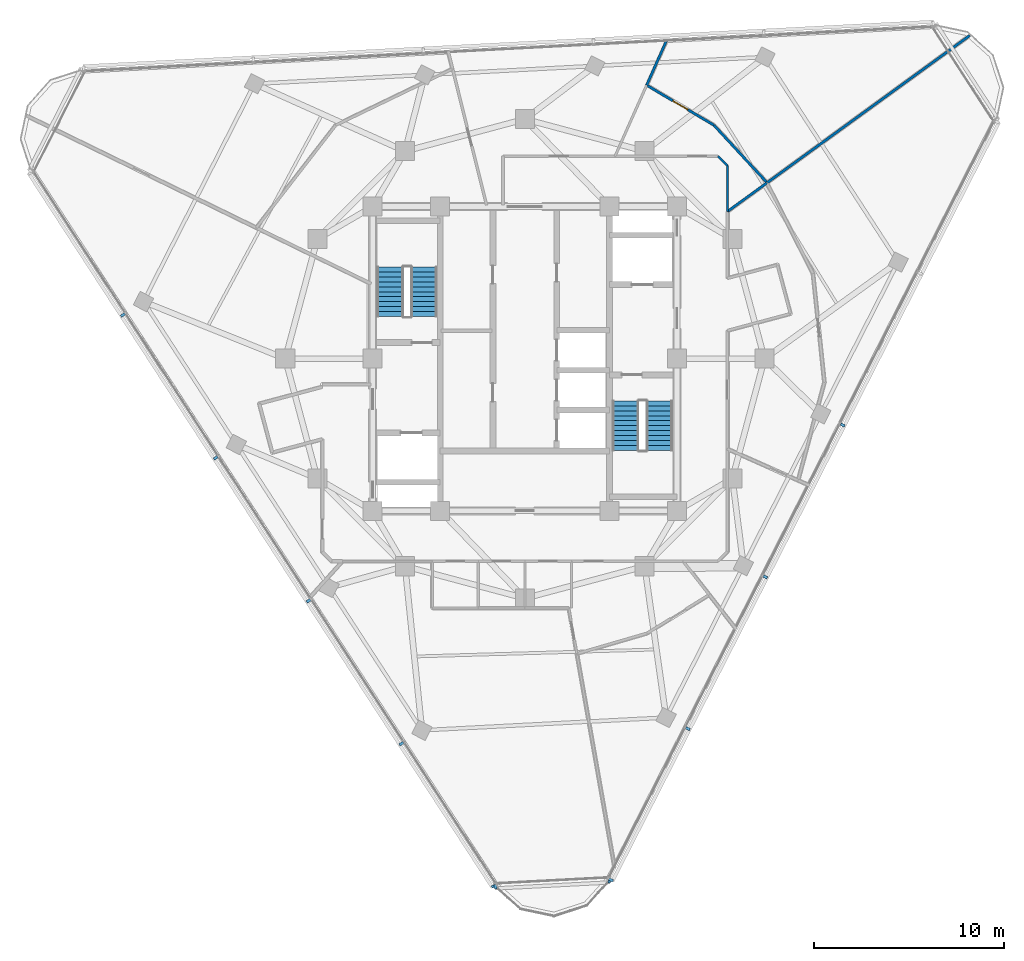
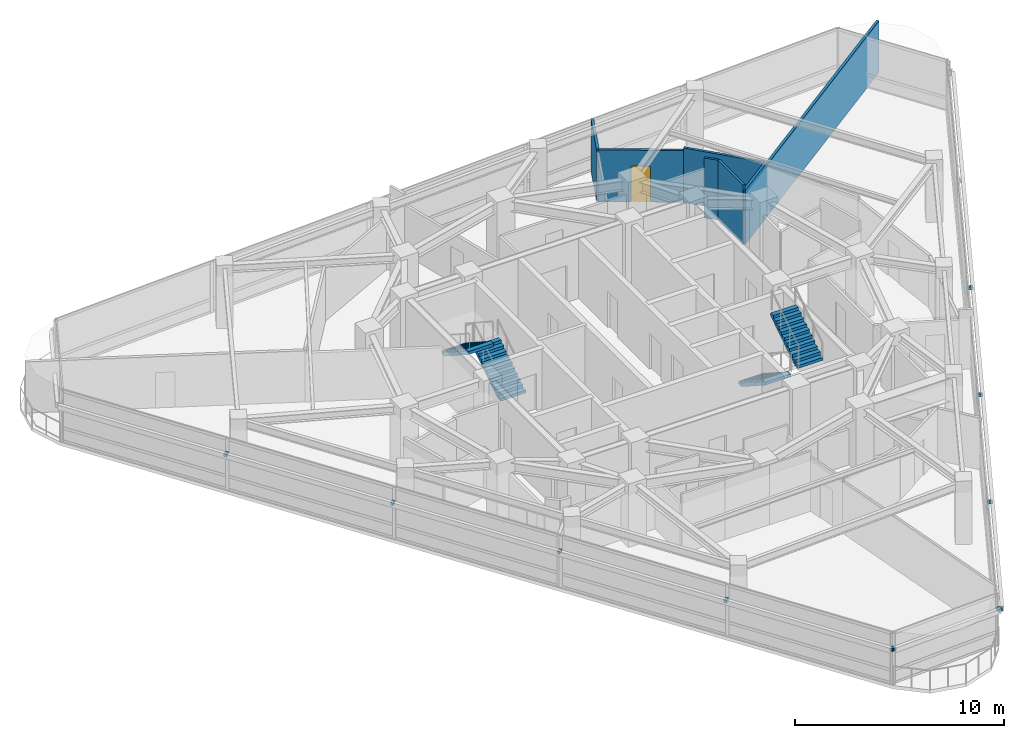
# One storey, part 10 of 15: 11 discrete accessories, 7 walls, 4 stair flights, 1 door, 1 opening, 2 elements without a shape of their own.
"""IFC4 building model written with IfcOpenShell, lengths in metres."""

from ifc_helpers import new_model, si_unit, direction, frame, frame_2d, origin, origin_2d, place, context, subcontext, project, spatial, polyline, rectangle, outline, extrude, material, layer, layer_set, type_object, element, fill, aggregate, save


model = new_model("IFC4")

# Units and contexts
model_context = context("Model", 3, precision=1e-05, world=origin(), true_north=direction((0.0, 1.0)))
body_context = subcontext(model_context, "Body", "Model", "MODEL_VIEW")
ifc_project = project(units=[si_unit("LENGTHUNIT", "METRE"), si_unit("AREAUNIT", "SQUARE_METRE"), si_unit("VOLUMEUNIT", "CUBIC_METRE"), si_unit("PLANEANGLEUNIT", "RADIAN"), si_unit("MASSUNIT", "GRAM", prefix="KILO")], contexts=[model_context])

# Site, building, storey
site_placement = place(None, origin())
site = spatial("IfcSite", under=ifc_project, at=site_placement, CompositionType="ELEMENT")
building_placement = place(site_placement, origin())
building = spatial("IfcBuilding", under=site, at=building_placement, Name="Terralouvre Media Tower", CompositionType="ELEMENT")
storey_placement = place(building_placement, frame((0.0, 0.0, 248.5)))
storey = spatial("IfcBuildingStorey", under=building, at=storey_placement, Name="L64", CompositionType="ELEMENT", Elevation=248.5)

# Walls
ifc_material_1 = material(Name="Fire-rated gypsum board drywall partition")
ifc_layer_1 = layer(ifc_material_1, 0.135009765625, Name="Newsroom Acoustic Partition PT-135")
ifc_layer_set_1 = layer_set([ifc_layer_1], Name="Fire-rated gypsum board drywall partition")
wall_type_1 = type_object("IfcWallType", Name="Newsroom Acoustic Partition PT-135", PredefinedType="PARTITIONING", material=ifc_layer_set_1)
wall_1_placement = place(storey_placement, frame((12.72509765625, 9.2451171875, 0.0), z_axis=(0.0, 0.0, 1.0), x_axis=(-0.809135191367, -0.587622533683, 0.0)))
element("IfcWall", 1, at=wall_1_placement, inside=storey, type_object=wall_type_1, Name="L64 Interior Partition 033", PredefinedType="PARTITIONING", context=body_context, shape_type="SweptSolid", body=[
    extrude(rectangle(XDim=2.564697265625, YDim=0.135009765625, at=frame_2d((1.2822265625, 0.0))), origin(), (0.0, 0.0, 1.0), 3.18505859375),
])
wall_2_placement = place(storey_placement, frame((23.393798828125, 16.996826171875, 0.0), z_axis=(0.0, 0.0, 1.0), x_axis=(-0.80901413128, -0.587789192985, 0.0)))
element("IfcWall", 2, at=wall_2_placement, inside=storey, type_object=wall_type_1, Name="L64 Interior Partition 048", PredefinedType="PARTITIONING", context=body_context, shape_type="SweptSolid", body=[
    extrude(rectangle(XDim=13.17138671875, YDim=0.135009765625, at=frame_2d((6.585693359375, 0.0))), origin(), (0.0, 0.0, 1.0), 3.034912109375),
])

# Wall, opening, door
wall_3_placement = place(storey_placement, frame((6.404052734375, 14.384033203125, 0.0), z_axis=(0.0, 0.0, 1.0), x_axis=(0.859464079119, -0.511196143085, 0.0)))
wall_3 = element("IfcWall", 3, at=wall_3_placement, inside=storey, type_object=wall_type_1, Name="L64 Interior Partition 049", PredefinedType="PARTITIONING", context=body_context, shape_type="SweptSolid", body=[
    extrude(rectangle(XDim=4.11767578125, YDim=0.135009765625, at=frame_2d((2.058837890625, 0.0))), origin(), (0.0, 0.0, 1.0), 3.034912109375),
])
opening_placement = place(wall_3_placement, frame((1.598876953125, 0.0, 0.0)))
opening = element("IfcOpeningElement", 4, at=opening_placement, cuts=wall_3, Name="Opening ID-03-92X210", PredefinedType="OPENING", context=body_context, shape_type="SweptSolid", body=[
    extrude(rectangle(XDim=0.919921875, YDim=2.10009765625, at=frame_2d((0.4599609375, 1.050048828125))), frame((0.0, 0.077392578125, 0.0), z_axis=(0.0, -1.0, 0.0), x_axis=(1.0, 0.0, 0.0)), (0.0, 0.0, 1.0), 0.155029296875),
])
ifc_material_2 = material(Name="Engineered hardwood acoustic timber leaf", Category="wood")
door_type = type_object("IfcDoorType", Name="Accessible Restroom and Suite Door ID-03 (920x2100)", OperationType="NOTDEFINED", PredefinedType="DOOR", material=ifc_material_2)
door_placement = place(opening_placement, origin())
door = element("IfcDoor", 5, at=door_placement, inside=storey, type_object=door_type, Name="L64 Publishing Production Workspace 8 Door", OperationType="SINGLE_SWING_RIGHT", OverallHeight=2.10009765625, OverallWidth=0.919921875, PredefinedType="DOOR", context=body_context, shape_type="SweptSolid", body=[
    extrude(rectangle(XDim=0.919921875, YDim=2.10009765625, at=frame_2d((0.4599609375, 1.050048828125))), frame((0.0, 0.02490234375, 0.0), z_axis=(0.0, -1.0, 0.0), x_axis=(1.0, 0.0, 0.0)), (0.0, 0.0, 1.0), 0.050048828125),
])
fill(opening, door)

# Walls
wall_4_placement = place(storey_placement, frame((9.943115234375, 12.279052734375, 0.0), z_axis=(0.0, 0.0, 1.0), x_axis=(0.678829604912, -0.734295831049, 0.0)))
element("IfcWall", 6, at=wall_4_placement, inside=storey, type_object=wall_type_1, Name="L64 Interior Partition 050", PredefinedType="PARTITIONING", context=body_context, shape_type="SweptSolid", body=[
    extrude(rectangle(XDim=4.058349609375, YDim=0.135009765625, at=frame_2d((2.029296875, 0.0))), origin(), (0.0, 0.0, 1.0), 3.18505859375),
])
wall_5_placement = place(storey_placement, frame((7.46533203125, 16.766357421875, 0.0), z_axis=(0.0, 0.0, 1.0), x_axis=(-0.406928703069, -0.913459922831, 0.0)))
element("IfcWall", 7, at=wall_5_placement, inside=storey, type_object=wall_type_1, Name="L64 Interior Partition 051", PredefinedType="PARTITIONING", context=body_context, shape_type="SweptSolid", body=[
    extrude(rectangle(XDim=2.60791015625, YDim=0.135009765625, at=frame_2d((1.303955078125, 0.0))), origin(), (0.0, 0.0, 1.0), 3.034912109375),
])
ifc_material_3 = material(Name="Fire-rated gypsum board drywall partition")
ifc_layer_2 = layer(ifc_material_3, 0.114990234375, Name="Restroom and Pantry Partition PT-115")
ifc_layer_set_2 = layer_set([ifc_layer_2], Name="Fire-rated gypsum board drywall partition")
wall_type_2 = type_object("IfcWallType", Name="Restroom and Pantry Partition PT-115", PredefinedType="PARTITIONING", material=ifc_layer_set_2)
wall_6_placement = place(storey_placement, frame((10.64990234375, 7.738037109375, 0.0), z_axis=(0.0, 0.0, 1.0), x_axis=(0.0, 1.0, 0.0)))
element("IfcWall", 8, at=wall_6_placement, inside=storey, type_object=wall_type_2, Name="L64 Interior Partition 021", PredefinedType="PARTITIONING", context=body_context, shape_type="SweptSolid", body=[
    extrude(rectangle(XDim=2.411865234375, YDim=0.114990234375, at=frame_2d((1.2060546875, 0.0))), origin(), (0.0, 0.0, 1.0), 3.5),
])
wall_7_placement = place(storey_placement, frame((10.64990234375, 10.14990234375, 0.0), z_axis=(0.0, 0.0, 1.0), x_axis=(-0.707106781187, 0.707106781187, 0.0)))
element("IfcWall", 9, at=wall_7_placement, inside=storey, type_object=wall_type_2, Name="L64 Interior Partition 022", PredefinedType="PARTITIONING", context=body_context, shape_type="SweptSolid", body=[
    extrude(rectangle(XDim=0.70703125, YDim=0.114990234375, at=frame_2d((0.353515625, 0.0))), origin(), (0.0, 0.0, 1.0), 3.5),
])

# Stair, stair flights
ifc_material_4 = material(Name="Concrete C45/55", Category="concrete")
stair_type_1 = type_object("IfcStairType", Name="Dogleg Stair Assembly ST-01", PredefinedType="HALF_TURN_STAIR", material=ifc_material_4)
stair_1_placement = place(storey_placement, origin())
stair_1 = element("IfcStair", 10, at=stair_1_placement, inside=storey, type_object=stair_type_1, Name="L64 Core Pressurised Exit Stair ST-01", PredefinedType="HALF_TURN_STAIR")
ifc_material_5 = material(Name="Concrete C45/55", Category="concrete")
stair_flight_type = type_object("IfcStairFlightType", Name="Reinforced Concrete Stair Flight SF-RC1", PredefinedType="STRAIGHT", material=ifc_material_5)
stair_flight_1_placement = place(storey_placement, frame((-5.300048828125, 2.219970703125, 0.0), z_axis=(0.0, 0.0, 1.0), x_axis=(0.0, 1.0, 0.0)))
stair_flight_1 = element("IfcStairFlight", 11, at=stair_flight_1_placement, type_object=stair_flight_type, Name="ST-01 flight 1", NumberOfRisers=11, NumberOfTreads=10, PredefinedType="STRAIGHT", RiserHeight=0.168181818, TreadLength=0.26, context=body_context, shape_type="SweptSolid", body=[
    extrude(outline(polyline([(0.0, 0.0), (0.0, 0.168212890625), (0.260009765625, 0.168212890625), (0.260009765625, 0.33642578125), (0.52001953125, 0.33642578125), (0.52001953125, 0.504638671875), (0.780029296875, 0.504638671875), (0.780029296875, 0.672607421875), (1.0400390625, 0.672607421875), (1.0400390625, 0.8408203125), (1.300048828125, 0.8408203125), (1.300048828125, 1.009033203125), (1.56005859375, 1.009033203125), (1.56005859375, 1.17724609375), (1.820068359375, 1.17724609375), (1.820068359375, 1.345458984375), (2.080078125, 1.345458984375), (2.080078125, 1.513671875), (2.340087890625, 1.513671875), (2.340087890625, 1.681884765625), (2.60009765625, 1.681884765625), (2.60009765625, 1.85009765625), (2.60009765625, 1.503173828125), (0.27587890625, 0.0), (0.0, 0.0)])), frame((0.0, 0.699951171875, 0.0), z_axis=(0.0, -1.0, 0.0), x_axis=(1.0, 0.0, 0.0)), (0.0, 0.0, 1.0), 1.39990234375),
])
stair_flight_2_placement = place(storey_placement, frame((-7.080078125, 4.820068359375, 1.85009765625), z_axis=(0.0, 0.0, 1.0), x_axis=(0.0, -1.0, 0.0)))
stair_flight_2 = element("IfcStairFlight", 12, at=stair_flight_2_placement, type_object=stair_flight_type, Name="ST-01 flight 2", NumberOfRisers=11, NumberOfTreads=10, PredefinedType="STRAIGHT", RiserHeight=0.168181818, TreadLength=0.26, context=body_context, shape_type="SweptSolid", body=[
    extrude(outline(polyline([(0.0, 0.0), (0.0, 0.168212890625), (0.260009765625, 0.168212890625), (0.260009765625, 0.33642578125), (0.52001953125, 0.33642578125), (0.52001953125, 0.504638671875), (0.780029296875, 0.504638671875), (0.780029296875, 0.672607421875), (1.0400390625, 0.672607421875), (1.0400390625, 0.8408203125), (1.300048828125, 0.8408203125), (1.300048828125, 1.009033203125), (1.56005859375, 1.009033203125), (1.56005859375, 1.17724609375), (1.820068359375, 1.17724609375), (1.820068359375, 1.345458984375), (2.080078125, 1.345458984375), (2.080078125, 1.513671875), (2.340087890625, 1.513671875), (2.340087890625, 1.681884765625), (2.60009765625, 1.681884765625), (2.60009765625, 1.85009765625), (2.60009765625, 1.503173828125), (0.27587890625, 0.0), (0.0, 0.0)])), frame((0.0, 0.699951171875, 0.0), z_axis=(0.0, -1.0, 0.0), x_axis=(1.0, 0.0, 0.0)), (0.0, 0.0, 1.0), 1.39990234375),
])
aggregate(stair_1, [stair_flight_1, stair_flight_2])

ifc_material_6 = material(Name="Concrete C45/55", Category="concrete")
stair_type_2 = type_object("IfcStairType", Name="Dogleg Stair Assembly ST-02", PredefinedType="HALF_TURN_STAIR", material=ifc_material_6)
stair_2_placement = place(storey_placement, origin())
stair_2 = element("IfcStair", 13, at=stair_2_placement, inside=storey, type_object=stair_type_2, Name="L64 Core Pressurised Exit Stair ST-02", PredefinedType="HALF_TURN_STAIR")
stair_flight_3_placement = place(storey_placement, frame((5.300048828125, -2.219970703125, 0.0), z_axis=(0.0, 0.0, 1.0), x_axis=(0.0, -1.0, 0.0)))
stair_flight_3 = element("IfcStairFlight", 14, at=stair_flight_3_placement, type_object=stair_flight_type, Name="ST-02 flight 1", NumberOfRisers=11, NumberOfTreads=10, PredefinedType="STRAIGHT", RiserHeight=0.168181818, TreadLength=0.26, context=body_context, shape_type="SweptSolid", body=[
    extrude(outline(polyline([(0.0, 0.0), (0.0, 0.168212890625), (0.260009765625, 0.168212890625), (0.260009765625, 0.33642578125), (0.52001953125, 0.33642578125), (0.52001953125, 0.504638671875), (0.780029296875, 0.504638671875), (0.780029296875, 0.672607421875), (1.0400390625, 0.672607421875), (1.0400390625, 0.8408203125), (1.300048828125, 0.8408203125), (1.300048828125, 1.009033203125), (1.56005859375, 1.009033203125), (1.56005859375, 1.17724609375), (1.820068359375, 1.17724609375), (1.820068359375, 1.345458984375), (2.080078125, 1.345458984375), (2.080078125, 1.513671875), (2.340087890625, 1.513671875), (2.340087890625, 1.681884765625), (2.60009765625, 1.681884765625), (2.60009765625, 1.85009765625), (2.60009765625, 1.503173828125), (0.27587890625, 0.0), (0.0, 0.0)])), frame((0.0, 0.699951171875, 0.0), z_axis=(0.0, -1.0, 0.0), x_axis=(1.0, 0.0, 0.0)), (0.0, 0.0, 1.0), 1.39990234375),
])
stair_flight_4_placement = place(storey_placement, frame((7.080078125, -4.820068359375, 1.85009765625), z_axis=(0.0, 0.0, 1.0), x_axis=(0.0, 1.0, 0.0)))
stair_flight_4 = element("IfcStairFlight", 15, at=stair_flight_4_placement, type_object=stair_flight_type, Name="ST-02 flight 2", NumberOfRisers=11, NumberOfTreads=10, PredefinedType="STRAIGHT", RiserHeight=0.168181818, TreadLength=0.26, context=body_context, shape_type="SweptSolid", body=[
    extrude(outline(polyline([(0.0, 0.0), (0.0, 0.168212890625), (0.260009765625, 0.168212890625), (0.260009765625, 0.33642578125), (0.52001953125, 0.33642578125), (0.52001953125, 0.504638671875), (0.780029296875, 0.504638671875), (0.780029296875, 0.672607421875), (1.0400390625, 0.672607421875), (1.0400390625, 0.8408203125), (1.300048828125, 0.8408203125), (1.300048828125, 1.009033203125), (1.56005859375, 1.009033203125), (1.56005859375, 1.17724609375), (1.820068359375, 1.17724609375), (1.820068359375, 1.345458984375), (2.080078125, 1.345458984375), (2.080078125, 1.513671875), (2.340087890625, 1.513671875), (2.340087890625, 1.681884765625), (2.60009765625, 1.681884765625), (2.60009765625, 1.85009765625), (2.60009765625, 1.503173828125), (0.27587890625, 0.0), (0.0, 0.0)])), frame((0.0, 0.699951171875, 0.0), z_axis=(0.0, -1.0, 0.0), x_axis=(1.0, 0.0, 0.0)), (0.0, 0.0, 1.0), 1.39990234375),
])
aggregate(stair_2, [stair_flight_3, stair_flight_4])

# Discrete accessories
ifc_material_7 = material(Name="Anodised extruded aluminium 6063-T6", Category="aluminium")
discrete_accessory_type = type_object("IfcDiscreteAccessoryType", Name="Mullion Stand-Off Baguette Fixing Bracket BK-01", PredefinedType="BRACKET", material=ifc_material_7)
for number, where, z_axis, x_axis, name in (
    (16, (4.52490234375, -27.403564453125, 2.07421875), (0.0, 0.0, 1.0), (0.45399044259, 0.891006553308, 0.0), "CW-L64-F0 Baguette Outrigger Bracket 1.01"),
    (17, (8.57568359375, -19.45361328125, 2.07421875), (0.0, 0.0, 1.0), (0.45399044259, 0.891006553308, 0.0), "CW-L64-F0 Baguette Outrigger Bracket 1.02"),
    (18, (12.643310546875, -11.47021484375, 2.07421875), (0.0, 0.0, 1.0), (0.45399044259, 0.891006553308, 0.0), "CW-L64-F0 Baguette Outrigger Bracket 1.03"),
    (19, (16.711181640625, -3.48681640625, 2.07421875), (0.0, 0.0, 1.0), (0.45399044259, 0.891006553308, 0.0), "CW-L64-F0 Baguette Outrigger Bracket 1.04"),
    (20, (-21.135009765625, 2.300048828125, 2.07421875), (0.0, 0.0, 1.0), (0.544639069077, -0.838670545826, 0.0), "CW-L64-F2 Baguette Outrigger Bracket 1.02"),
    (21, (-16.255126953125, -5.21435546875, 2.07421875), (0.0, 0.0, 1.0), (0.544639069077, -0.838670545826, 0.0), "CW-L64-F2 Baguette Outrigger Bracket 1.03"),
    (22, (-11.375244140625, -12.72900390625, 2.07421875), (0.0, 0.0, 1.0), (0.544639069077, -0.838670545826, 0.0), "CW-L64-F2 Baguette Outrigger Bracket 1.04"),
    (23, (-6.4951171875, -20.243408203125, 2.07421875), (0.0, 0.0, 1.0), (0.544639069077, -0.838670545826, 0.0), "CW-L64-F2 Baguette Outrigger Bracket 1.05"),
    (24, (-1.6357421875, -27.726318359375, 2.07421875), (0.0, 0.0, 1.0), (0.544639069077, -0.838670545826, 0.0), "CW-L64-F2 Baguette Outrigger Bracket 1.06"),
    (25, (-1.543212890625, -27.754150390625, 2.07421875), (0.0, 0.0, 1.0), (0.998629533744, 0.05233597552, 0.0), "CW-L64-C0 Baguette Outrigger Bracket 1.01"),
    (26, (4.435791015625, -27.440673828125, 2.07421875), (0.0, 0.0, 1.0), (0.998629533744, 0.05233597552, 0.0), "CW-L64-C0 Baguette Outrigger Bracket 1.02"),
):
    element("IfcDiscreteAccessory", number, at=place(storey_placement, frame(where, z_axis=z_axis, x_axis=x_axis)), inside=storey, type_object=discrete_accessory_type, Name=name, PredefinedType="BRACKET", context=body_context, shape_type="SweptSolid", body=[
        extrude(rectangle(XDim=0.139892578125, YDim=0.239990234375, at=origin_2d()), origin(), (0.0, 0.0, 1.0), 0.179931640625),
    ])

save(model, "model.ifc")
